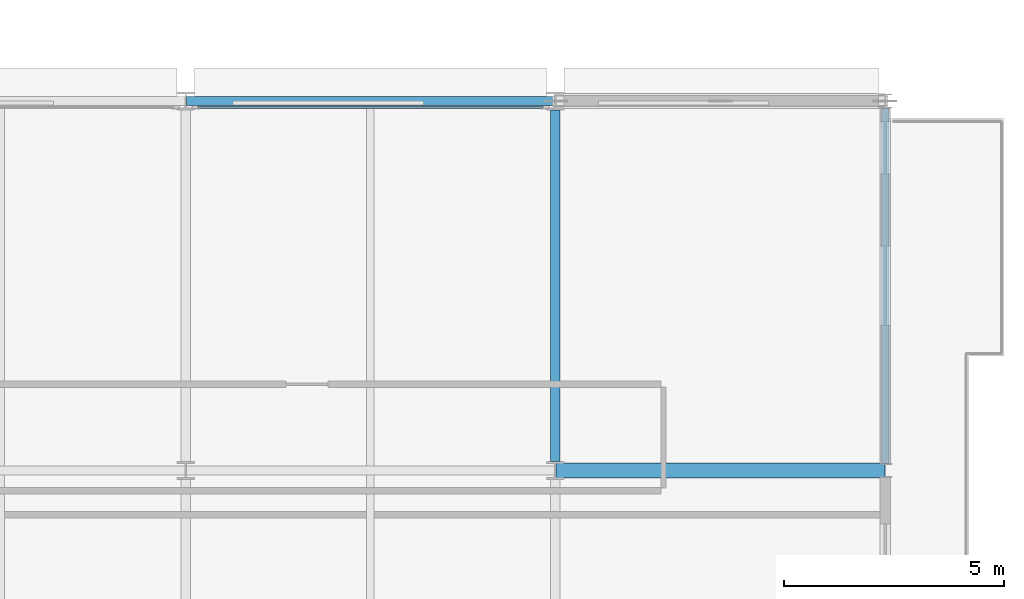
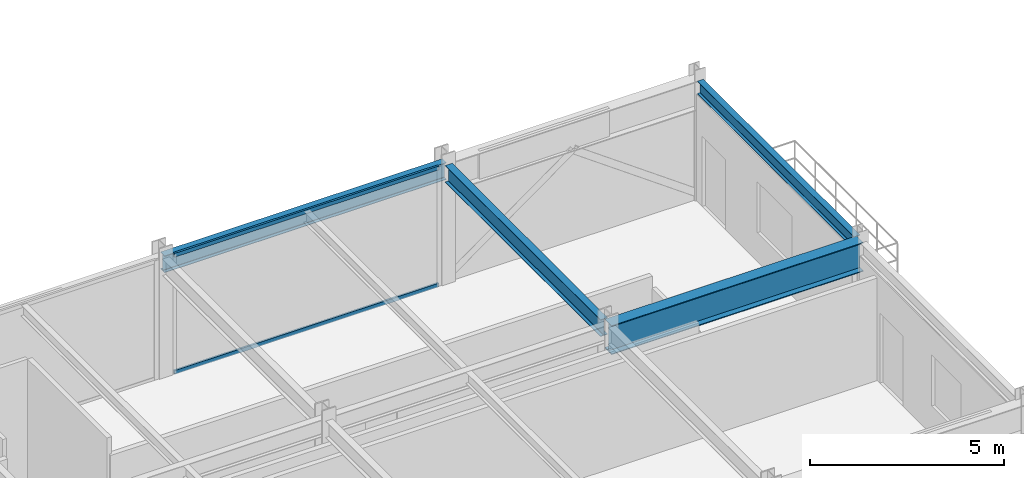
# One storey, part 21 of 40: 4 beams, 2 members, 1 element without a shape of its own.
"""IFC4 building model written with IfcOpenShell, lengths in metres."""

from ifc_helpers import new_model, si_unit, direction, frame, origin, origin_2d, place, context, subcontext, project, spatial, hollow_rectangle, i_section, extrude, material, layer, layer_set, material_profile, profile_set, type_object, element, aggregate, save


model = new_model("IFC4")

# Units and contexts
model_context = context("Model", 3, precision=1e-05, world=origin(), true_north=direction((0.0, 1.0)))
body_context = subcontext(model_context, "Body", "Model", "MODEL_VIEW")
ifc_project = project(units=[si_unit("LENGTHUNIT", "METRE"), si_unit("AREAUNIT", "SQUARE_METRE"), si_unit("VOLUMEUNIT", "CUBIC_METRE"), si_unit("PLANEANGLEUNIT", "RADIAN"), si_unit("MASSUNIT", "GRAM", prefix="KILO")], contexts=[model_context])

# Site, building, storey
site_placement = place(None, origin())
site = spatial("IfcSite", under=ifc_project, at=site_placement, CompositionType="ELEMENT")
building_placement = place(site_placement, origin())
building = spatial("IfcBuilding", under=site, at=building_placement, Name="Nerrivon Quay Data Exchange", CompositionType="ELEMENT")
storey_placement = place(building_placement, frame((0.0, 0.0, 109.0)))
storey = spatial("IfcBuildingStorey", under=building, at=storey_placement, Name="L25", CompositionType="ELEMENT", Elevation=109.0)

# Beams
ifc_material_1 = material(Name="Steel Grade 350", Category="steel")
ifc_material_profile_1 = material_profile(ifc_material_1, i_section(OverallWidth=0.35009765625, OverallDepth=0.909912109375, WebThickness=0.011962890625, FlangeThickness=0.02490234375, at=origin_2d()), Name="900WB218")
ifc_profile_set_1 = profile_set([ifc_material_profile_1], Name="Steel Grade 350")
beam_type_1 = type_object("IfcBeamType", Name="BM-CANT-900WB", PredefinedType="USERDEFINED", material=ifc_profile_set_1)
beam_1_placement = place(storey_placement, frame((50.41259765625, 16.800048828125, 3.294921875), z_axis=(1.0, 0.0, 0.0), x_axis=(0.0, 1.0, 0.0)))
element("IfcBeam", 1, at=beam_1_placement, inside=storey, type_object=beam_type_1, Name="L25 East Hooked Cantilever Girder Y=16.8", ObjectType="TRANSFER", PredefinedType="USERDEFINED", context=body_context, shape_type="SweptSolid", body=[
    extrude(i_section(OverallWidth=0.35009765625, OverallDepth=0.909912109375, WebThickness=0.011962890625, FlangeThickness=0.02490234375, at=origin_2d()), origin(), (0.0, 0.0, 1.0), 7.4794921875),
])
ifc_material_profile_2 = material_profile(ifc_material_1, i_section(OverallWidth=0.208984375, OverallDepth=0.532958984375, WebThickness=0.01025390625, FlangeThickness=0.015625, FilletRadius=0.013916015625, at=origin_2d()), Name="530UB92.4")
ifc_profile_set_2 = profile_set([ifc_material_profile_2], Name="Steel Grade 350")
beam_type_2 = type_object("IfcBeamType", Name="BM-G3-530UB92", PredefinedType="BEAM", material=ifc_profile_set_2)
beam_2_placement = place(storey_placement, frame((42.012451171875, 25.199951171875, 3.4833984375), z_axis=(1.0, 0.0, 0.0), x_axis=(0.0, 1.0, 0.0)))
element("IfcBeam", 2, at=beam_2_placement, inside=storey, type_object=beam_type_2, Name="L25 EW Girder Y=25.2 (42.0..50.4)", PredefinedType="BEAM", context=body_context, shape_type="SweptSolid", body=[
    extrude(i_section(OverallWidth=0.208984375, OverallDepth=0.532958984375, WebThickness=0.01025390625, FlangeThickness=0.015625, FilletRadius=0.013916015625, at=origin_2d()), origin(), (0.0, 0.0, 1.0), 8.375),
])
ifc_material_profile_3 = material_profile(ifc_material_1, i_section(OverallWidth=0.208984375, OverallDepth=0.528076171875, WebThickness=0.009521484375, FlangeThickness=0.01318359375, FilletRadius=0.013916015625, at=origin_2d()), Name="530UB82.0")
ifc_profile_set_3 = profile_set([ifc_material_profile_3], Name="Steel Grade 350")
beam_type_3 = type_object("IfcBeamType", Name="BM-G4-530UB82", PredefinedType="BEAM", material=ifc_profile_set_3)
beam_3_placement = place(storey_placement, frame((50.39990234375, 17.0, 3.486083984375), z_axis=(0.0, 1.0, 0.0), x_axis=(-1.0, 0.0, 0.0)))
element("IfcBeam", 3, at=beam_3_placement, inside=storey, type_object=beam_type_3, Name="L25 NS Girder X=50.4 (16.8..25.2)", PredefinedType="BEAM", context=body_context, shape_type="SweptSolid", body=[
    extrude(i_section(OverallWidth=0.208984375, OverallDepth=0.528076171875, WebThickness=0.009521484375, FlangeThickness=0.01318359375, FilletRadius=0.013916015625, at=origin_2d()), origin(), (0.0, 0.0, 1.0), 8.0),
])
ifc_material_profile_4 = material_profile(ifc_material_1, i_section(OverallWidth=0.177978515625, OverallDepth=0.403076171875, WebThickness=0.007568359375, FlangeThickness=0.010986328125, FilletRadius=0.011474609375, at=origin_2d()), Name="410UB53.7")
ifc_profile_set_4 = profile_set([ifc_material_profile_4], Name="Steel Grade 350")
beam_type_4 = type_object("IfcBeamType", Name="BM-SP2-410UB54", PredefinedType="SPANDREL", material=ifc_profile_set_4)
beam_4_placement = place(storey_placement, frame((57.89990234375, 16.96337890625, 3.548583984375), z_axis=(0.0, 1.0, 0.0), x_axis=(-1.0, 0.0, 0.0)))
element("IfcBeam", 4, at=beam_4_placement, inside=storey, type_object=beam_type_4, Name="L25 East Hooked Edge Spandrel", PredefinedType="SPANDREL", context=body_context, shape_type="SweptSolid", body=[
    extrude(i_section(OverallWidth=0.177978515625, OverallDepth=0.403076171875, WebThickness=0.007568359375, FlangeThickness=0.010986328125, FilletRadius=0.011474609375, at=origin_2d()), origin(), (0.0, 0.0, 1.0), 8.0732421875),
])

# Curtain wall, members
ifc_material_2 = material(Name="Anodised aluminium 6063-T6", Category="aluminium")
ifc_layer = layer(ifc_material_2, 0.2099609375)
ifc_layer_set = layer_set([ifc_layer], Name="Anodised aluminium 6063-T6")
curtain_wall_type = type_object("IfcCurtainWallType", Name="CW-SYS-02", PredefinedType="NOTDEFINED", material=ifc_layer_set)
curtain_wall_placement = place(storey_placement, origin())
curtain_wall = element("IfcCurtainWall", 5, at=curtain_wall_placement, inside=storey, type_object=curtain_wall_type, Name="L25 Unitised Curtain Wall 34", PredefinedType="NOTDEFINED")
ifc_material_profile_5 = material_profile(ifc_material_2, hollow_rectangle(XDim=0.06005859375, YDim=0.1201171875, WallThickness=0.003173828125, at=origin_2d()), Name="ALU-TRAN-120x60")
ifc_profile_set_5 = profile_set([ifc_material_profile_5], Name="Anodised aluminium 6063-T6")
member_type = type_object("IfcMemberType", Name="CWT-120x60", PredefinedType="USERDEFINED", material=ifc_profile_set_5)
member_1_placement = place(storey_placement, frame((42.27490234375, 25.06005859375, 0.032470703125), z_axis=(1.0, 0.0, 0.0), x_axis=(0.0, 1.0, 0.0)))
member_1 = element("IfcMember", 6, at=member_1_placement, type_object=member_type, Name="CW02 transom 1.1", ObjectType="TRANSOM", PredefinedType="USERDEFINED", context=body_context, shape_type="SweptSolid", body=[
    extrude(hollow_rectangle(XDim=0.06005859375, YDim=0.1201171875, WallThickness=0.003173828125, at=origin_2d()), origin(), (0.0, 0.0, 1.0), 7.85009765625),
])
member_2_placement = place(storey_placement, frame((42.27490234375, 25.06005859375, 3.717529296875), z_axis=(1.0, 0.0, 0.0), x_axis=(0.0, 1.0, 0.0)))
member_2 = element("IfcMember", 7, at=member_2_placement, type_object=member_type, Name="CW02 transom 1.2", ObjectType="TRANSOM", PredefinedType="USERDEFINED", context=body_context, shape_type="SweptSolid", body=[
    extrude(hollow_rectangle(XDim=0.06005859375, YDim=0.1201171875, WallThickness=0.003173828125, at=origin_2d()), origin(), (0.0, 0.0, 1.0), 7.85009765625),
])
aggregate(curtain_wall, [member_1, member_2])

save(model, "model.ifc")
